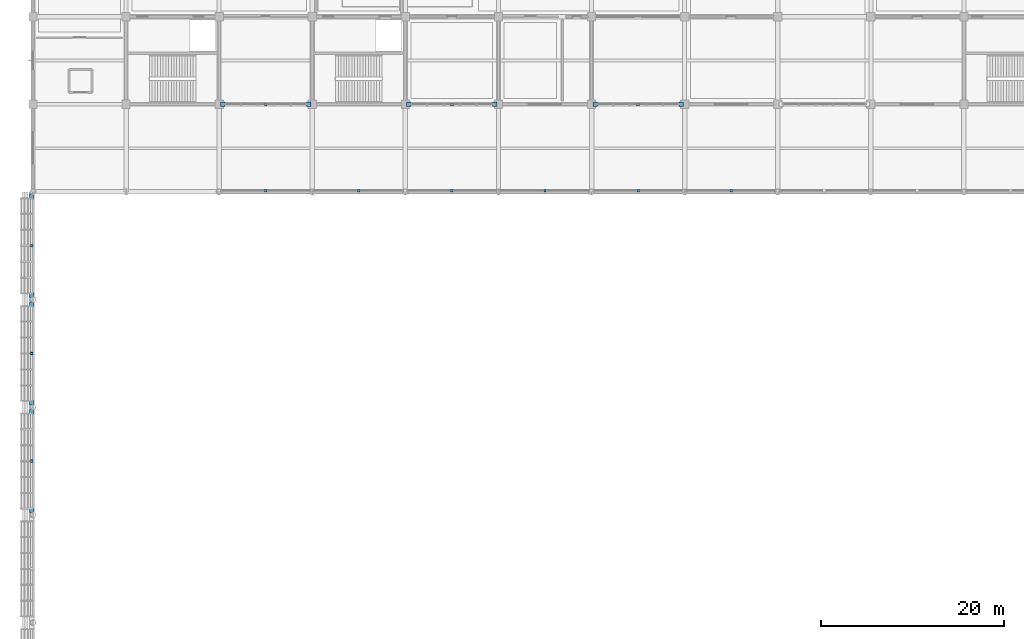
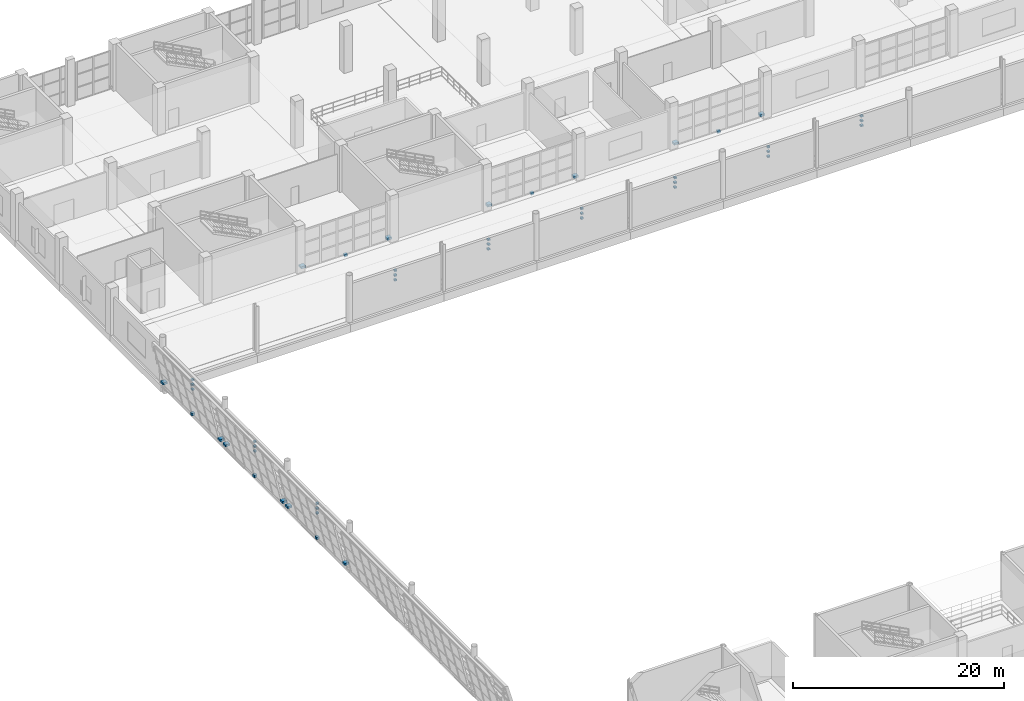
# One storey, part 144 of 175: 45 discrete accessories.
"""IFC4 building model written with IfcOpenShell, lengths in metres."""

from ifc_helpers import new_model, si_unit, direction, frame, origin, origin_2d, place, context, subcontext, project, spatial, rectangle, extrude, material, type_object, element, save


model = new_model("IFC4")

# Units and contexts
model_context = context("Model", 3, precision=1e-05, world=origin(), true_north=direction((0.0, 1.0)))
body_context = subcontext(model_context, "Body", "Model", "MODEL_VIEW")
ifc_project = project(units=[si_unit("LENGTHUNIT", "METRE"), si_unit("AREAUNIT", "SQUARE_METRE"), si_unit("VOLUMEUNIT", "CUBIC_METRE"), si_unit("PLANEANGLEUNIT", "RADIAN"), si_unit("MASSUNIT", "GRAM", prefix="KILO")], contexts=[model_context])

# Site, building, storey
site_placement = place(None, origin())
site = spatial("IfcSite", under=ifc_project, at=site_placement, CompositionType="ELEMENT")
building_placement = place(site_placement, origin())
building = spatial("IfcBuilding", under=site, at=building_placement, Name="Brelvane Convention Centre", CompositionType="ELEMENT")
storey_placement = place(building_placement, frame((0.0, 0.0, 5.39990234375)))
storey = spatial("IfcBuildingStorey", under=building, at=storey_placement, Name="L01", CompositionType="ELEMENT", Elevation=5.39990234375)

# Discrete accessories
ifc_material_1 = material(Name="Steel E350 (350 MPa)", Category="steel")
discrete_accessory_type_1 = type_object("IfcDiscreteAccessoryType", Name="Facade Outrigger Bracket BRK-01", PredefinedType="BRACKET", material=ifc_material_1)
for number, where, z_axis, x_axis, name in (
    (1, (-0.14501953125, 70.10009765625, 3.8701171875), (0.0, 0.0, 1.0), (1.0, 0.0, 0.0), "Copper Band Support Bracket L01-V1W-L01-4-1"),
    (2, (-0.14501953125, 70.10009765625, 3.3203125), (0.0, 0.0, 1.0), (1.0, 0.0, 0.0), "Copper Band Support Bracket L01-V1W-L01-4-2"),
    (3, (-0.14501953125, 70.10009765625, 2.77001953125), (0.0, 0.0, 1.0), (1.0, 0.0, 0.0), "Copper Band Support Bracket L01-V1W-L01-4-3"),
    (4, (-0.14501953125, 81.89990234375, 3.8701171875), (0.0, 0.0, 1.0), (1.0, 0.0, 0.0), "Copper Band Support Bracket L01-V1W-L01-5-1"),
    (5, (-0.14501953125, 81.89990234375, 3.3203125), (0.0, 0.0, 1.0), (1.0, 0.0, 0.0), "Copper Band Support Bracket L01-V1W-L01-5-2"),
    (6, (-0.14501953125, 81.89990234375, 2.77001953125), (0.0, 0.0, 1.0), (1.0, 0.0, 0.0), "Copper Band Support Bracket L01-V1W-L01-5-3"),
    (7, (-0.14501953125, 93.699951171875, 3.8701171875), (0.0, 0.0, 1.0), (1.0, 0.0, 0.0), "Copper Band Support Bracket L01-V1W-L01-6-1"),
    (8, (-0.14501953125, 93.699951171875, 3.3203125), (0.0, 0.0, 1.0), (1.0, 0.0, 0.0), "Copper Band Support Bracket L01-V1W-L01-6-2"),
    (9, (-0.14501953125, 93.699951171875, 2.77001953125), (0.0, 0.0, 1.0), (1.0, 0.0, 0.0), "Copper Band Support Bracket L01-V1W-L01-6-3"),
    (10, (25.5, 99.7451171875, 3.8701171875), (0.0, 0.0, 1.0), (1.0, 0.0, 0.0), "Copper Band Support Bracket L01-V1N-L01-03-1"),
    (11, (25.5, 99.7451171875, 3.3203125), (0.0, 0.0, 1.0), (1.0, 0.0, 0.0), "Copper Band Support Bracket L01-V1N-L01-03-2"),
    (12, (25.5, 99.7451171875, 2.77001953125), (0.0, 0.0, 1.0), (1.0, 0.0, 0.0), "Copper Band Support Bracket L01-V1N-L01-03-3"),
    (13, (35.699951171875, 99.7451171875, 3.8701171875), (0.0, 0.0, 1.0), (1.0, 0.0, 0.0), "Copper Band Support Bracket L01-V1N-L01-04-1"),
    (14, (35.699951171875, 99.7451171875, 3.3203125), (0.0, 0.0, 1.0), (1.0, 0.0, 0.0), "Copper Band Support Bracket L01-V1N-L01-04-2"),
    (15, (35.699951171875, 99.7451171875, 2.77001953125), (0.0, 0.0, 1.0), (1.0, 0.0, 0.0), "Copper Band Support Bracket L01-V1N-L01-04-3"),
    (16, (45.89990234375, 99.7451171875, 3.8701171875), (0.0, 0.0, 1.0), (1.0, 0.0, 0.0), "Copper Band Support Bracket L01-V1N-L01-05-1"),
    (17, (45.89990234375, 99.7451171875, 3.3203125), (0.0, 0.0, 1.0), (1.0, 0.0, 0.0), "Copper Band Support Bracket L01-V1N-L01-05-2"),
    (18, (45.89990234375, 99.7451171875, 2.77001953125), (0.0, 0.0, 1.0), (1.0, 0.0, 0.0), "Copper Band Support Bracket L01-V1N-L01-05-3"),
    (19, (56.10009765625, 99.7451171875, 3.8701171875), (0.0, 0.0, 1.0), (1.0, 0.0, 0.0), "Copper Band Support Bracket L01-V1N-L01-06-1"),
    (20, (56.10009765625, 99.7451171875, 3.3203125), (0.0, 0.0, 1.0), (1.0, 0.0, 0.0), "Copper Band Support Bracket L01-V1N-L01-06-2"),
    (21, (56.10009765625, 99.7451171875, 2.77001953125), (0.0, 0.0, 1.0), (1.0, 0.0, 0.0), "Copper Band Support Bracket L01-V1N-L01-06-3"),
    (22, (66.300048828125, 99.7451171875, 3.8701171875), (0.0, 0.0, 1.0), (1.0, 0.0, 0.0), "Copper Band Support Bracket L01-V1N-L01-07-1"),
    (23, (66.300048828125, 99.7451171875, 3.3203125), (0.0, 0.0, 1.0), (1.0, 0.0, 0.0), "Copper Band Support Bracket L01-V1N-L01-07-2"),
    (24, (66.300048828125, 99.7451171875, 2.77001953125), (0.0, 0.0, 1.0), (1.0, 0.0, 0.0), "Copper Band Support Bracket L01-V1N-L01-07-3"),
    (25, (76.5, 99.7451171875, 3.8701171875), (0.0, 0.0, 1.0), (1.0, 0.0, 0.0), "Copper Band Support Bracket L01-V1N-L01-08-1"),
    (26, (76.5, 99.7451171875, 3.3203125), (0.0, 0.0, 1.0), (1.0, 0.0, 0.0), "Copper Band Support Bracket L01-V1N-L01-08-2"),
    (27, (76.5, 99.7451171875, 2.77001953125), (0.0, 0.0, 1.0), (1.0, 0.0, 0.0), "Copper Band Support Bracket L01-V1N-L01-08-3"),
):
    element("IfcDiscreteAccessory", number, at=place(storey_placement, frame(where, z_axis=z_axis, x_axis=x_axis)), inside=storey, type_object=discrete_accessory_type_1, Name=name, PredefinedType="BRACKET", context=body_context, shape_type="SweptSolid", body=[
        extrude(rectangle(XDim=0.260009765625, YDim=0.260009765625, at=origin_2d()), origin(), (0.0, 0.0, 1.0), 0.179931640625),
    ])
ifc_material_2 = material(Name="Steel E350 (350 MPa)", Category="steel")
discrete_accessory_type_2 = type_object("IfcDiscreteAccessoryType", Name="Facade Outrigger Bracket BRK-02", PredefinedType="BRACKET", material=ifc_material_2)
for number, where, z_axis, x_axis, name in (
    (28, (-0.139892578125, 64.68994140625, 0.25), (0.0, 0.0, 1.0), (1.0, 0.0, 0.0), "Curtain Wall Anchor Bracket L01-HULL-W-L01-4-L"),
    (29, (-0.139892578125, 75.510009765625, 0.25), (0.0, 0.0, 1.0), (1.0, 0.0, 0.0), "Curtain Wall Anchor Bracket L01-HULL-W-L01-4-R"),
):
    element("IfcDiscreteAccessory", number, at=place(storey_placement, frame(where, z_axis=z_axis, x_axis=x_axis)), inside=storey, type_object=discrete_accessory_type_2, Name=name, PredefinedType="BRACKET", context=body_context, shape_type="SweptSolid", body=[
        extrude(rectangle(XDim=0.47998046875, YDim=0.47998046875, at=origin_2d()), origin(), (0.0, 0.0, 1.0), 0.239990234375),
    ])
discrete_accessory_1_placement = place(storey_placement, frame((-0.139892578125, 70.10009765625, -0.1201171875), z_axis=(0.0, 0.0, 1.0), x_axis=(1.0, 0.0, 0.0)))
element("IfcDiscreteAccessory", 30, at=discrete_accessory_1_placement, inside=storey, type_object=discrete_accessory_type_2, Name="Curtain Wall Anchor Bracket L01-HULL-W-L01-4-B", PredefinedType="BRACKET", context=body_context, shape_type="SweptSolid", body=[
    extrude(rectangle(XDim=0.320068359375, YDim=0.320068359375, at=origin_2d()), origin(), (0.0, 0.0, 1.0), 0.280029296875),
])
for number, where, z_axis, x_axis, name in (
    (31, (-0.139892578125, 76.489990234375, 0.25), (0.0, 0.0, 1.0), (1.0, 0.0, 0.0), "Curtain Wall Anchor Bracket L01-HULL-W-L01-5-L"),
    (32, (-0.139892578125, 87.31005859375, 0.25), (0.0, 0.0, 1.0), (1.0, 0.0, 0.0), "Curtain Wall Anchor Bracket L01-HULL-W-L01-5-R"),
):
    element("IfcDiscreteAccessory", number, at=place(storey_placement, frame(where, z_axis=z_axis, x_axis=x_axis)), inside=storey, type_object=discrete_accessory_type_2, Name=name, PredefinedType="BRACKET", context=body_context, shape_type="SweptSolid", body=[
        extrude(rectangle(XDim=0.47998046875, YDim=0.47998046875, at=origin_2d()), origin(), (0.0, 0.0, 1.0), 0.239990234375),
    ])
discrete_accessory_2_placement = place(storey_placement, frame((-0.139892578125, 81.89990234375, -0.1201171875), z_axis=(0.0, 0.0, 1.0), x_axis=(1.0, 0.0, 0.0)))
element("IfcDiscreteAccessory", 33, at=discrete_accessory_2_placement, inside=storey, type_object=discrete_accessory_type_2, Name="Curtain Wall Anchor Bracket L01-HULL-W-L01-5-B", PredefinedType="BRACKET", context=body_context, shape_type="SweptSolid", body=[
    extrude(rectangle(XDim=0.320068359375, YDim=0.320068359375, at=origin_2d()), origin(), (0.0, 0.0, 1.0), 0.280029296875),
])
for number, where, z_axis, x_axis, name in (
    (34, (-0.139892578125, 88.2900390625, 0.25), (0.0, 0.0, 1.0), (1.0, 0.0, 0.0), "Curtain Wall Anchor Bracket L01-HULL-W-L01-6-L"),
    (35, (-0.139892578125, 99.110107421875, 0.25), (0.0, 0.0, 1.0), (1.0, 0.0, 0.0), "Curtain Wall Anchor Bracket L01-HULL-W-L01-6-R"),
):
    element("IfcDiscreteAccessory", number, at=place(storey_placement, frame(where, z_axis=z_axis, x_axis=x_axis)), inside=storey, type_object=discrete_accessory_type_2, Name=name, PredefinedType="BRACKET", context=body_context, shape_type="SweptSolid", body=[
        extrude(rectangle(XDim=0.47998046875, YDim=0.47998046875, at=origin_2d()), origin(), (0.0, 0.0, 1.0), 0.239990234375),
    ])
discrete_accessory_3_placement = place(storey_placement, frame((-0.139892578125, 93.699951171875, -0.1201171875), z_axis=(0.0, 0.0, 1.0), x_axis=(1.0, 0.0, 0.0)))
element("IfcDiscreteAccessory", 36, at=discrete_accessory_3_placement, inside=storey, type_object=discrete_accessory_type_2, Name="Curtain Wall Anchor Bracket L01-HULL-W-L01-6-B", PredefinedType="BRACKET", context=body_context, shape_type="SweptSolid", body=[
    extrude(rectangle(XDim=0.320068359375, YDim=0.320068359375, at=origin_2d()), origin(), (0.0, 0.0, 1.0), 0.280029296875),
])
for number, where, z_axis, x_axis, name in (
    (37, (20.7900390625, 109.199951171875, 0.22998046875), (0.0, 0.0, 1.0), (1.0, 0.0, 0.0), "Curtain Wall Anchor Bracket L01-V4S-03-L"),
    (38, (30.2099609375, 109.199951171875, 0.22998046875), (0.0, 0.0, 1.0), (1.0, 0.0, 0.0), "Curtain Wall Anchor Bracket L01-V4S-03-R"),
):
    element("IfcDiscreteAccessory", number, at=place(storey_placement, frame(where, z_axis=z_axis, x_axis=x_axis)), inside=storey, type_object=discrete_accessory_type_2, Name=name, PredefinedType="BRACKET", context=body_context, shape_type="SweptSolid", body=[
        extrude(rectangle(XDim=0.47998046875, YDim=0.47998046875, at=origin_2d()), origin(), (0.0, 0.0, 1.0), 0.239990234375),
    ])
discrete_accessory_4_placement = place(storey_placement, frame((25.5, 109.199951171875, -0.14013671875), z_axis=(0.0, 0.0, 1.0), x_axis=(1.0, 0.0, 0.0)))
element("IfcDiscreteAccessory", 39, at=discrete_accessory_4_placement, inside=storey, type_object=discrete_accessory_type_2, Name="Curtain Wall Anchor Bracket L01-V4S-03-B", PredefinedType="BRACKET", context=body_context, shape_type="SweptSolid", body=[
    extrude(rectangle(XDim=0.320068359375, YDim=0.320068359375, at=origin_2d()), origin(), (0.0, 0.0, 1.0), 0.280029296875),
])
for number, where, z_axis, x_axis, name in (
    (40, (41.18994140625, 109.199951171875, 0.22998046875), (0.0, 0.0, 1.0), (1.0, 0.0, 0.0), "Curtain Wall Anchor Bracket L01-V4S-05-L"),
    (41, (50.610107421875, 109.199951171875, 0.22998046875), (0.0, 0.0, 1.0), (1.0, 0.0, 0.0), "Curtain Wall Anchor Bracket L01-V4S-05-R"),
):
    element("IfcDiscreteAccessory", number, at=place(storey_placement, frame(where, z_axis=z_axis, x_axis=x_axis)), inside=storey, type_object=discrete_accessory_type_2, Name=name, PredefinedType="BRACKET", context=body_context, shape_type="SweptSolid", body=[
        extrude(rectangle(XDim=0.47998046875, YDim=0.47998046875, at=origin_2d()), origin(), (0.0, 0.0, 1.0), 0.239990234375),
    ])
discrete_accessory_5_placement = place(storey_placement, frame((45.89990234375, 109.199951171875, -0.14013671875), z_axis=(0.0, 0.0, 1.0), x_axis=(1.0, 0.0, 0.0)))
element("IfcDiscreteAccessory", 42, at=discrete_accessory_5_placement, inside=storey, type_object=discrete_accessory_type_2, Name="Curtain Wall Anchor Bracket L01-V4S-05-B", PredefinedType="BRACKET", context=body_context, shape_type="SweptSolid", body=[
    extrude(rectangle(XDim=0.320068359375, YDim=0.320068359375, at=origin_2d()), origin(), (0.0, 0.0, 1.0), 0.280029296875),
])
for number, where, z_axis, x_axis, name in (
    (43, (61.590087890625, 109.199951171875, 0.22998046875), (0.0, 0.0, 1.0), (1.0, 0.0, 0.0), "Curtain Wall Anchor Bracket L01-V4S-07-L"),
    (44, (71.010009765625, 109.199951171875, 0.22998046875), (0.0, 0.0, 1.0), (1.0, 0.0, 0.0), "Curtain Wall Anchor Bracket L01-V4S-07-R"),
):
    element("IfcDiscreteAccessory", number, at=place(storey_placement, frame(where, z_axis=z_axis, x_axis=x_axis)), inside=storey, type_object=discrete_accessory_type_2, Name=name, PredefinedType="BRACKET", context=body_context, shape_type="SweptSolid", body=[
        extrude(rectangle(XDim=0.47998046875, YDim=0.47998046875, at=origin_2d()), origin(), (0.0, 0.0, 1.0), 0.239990234375),
    ])
discrete_accessory_6_placement = place(storey_placement, frame((66.300048828125, 109.199951171875, -0.14013671875), z_axis=(0.0, 0.0, 1.0), x_axis=(1.0, 0.0, 0.0)))
element("IfcDiscreteAccessory", 45, at=discrete_accessory_6_placement, inside=storey, type_object=discrete_accessory_type_2, Name="Curtain Wall Anchor Bracket L01-V4S-07-B", PredefinedType="BRACKET", context=body_context, shape_type="SweptSolid", body=[
    extrude(rectangle(XDim=0.320068359375, YDim=0.320068359375, at=origin_2d()), origin(), (0.0, 0.0, 1.0), 0.280029296875),
])

save(model, "model.ifc")
